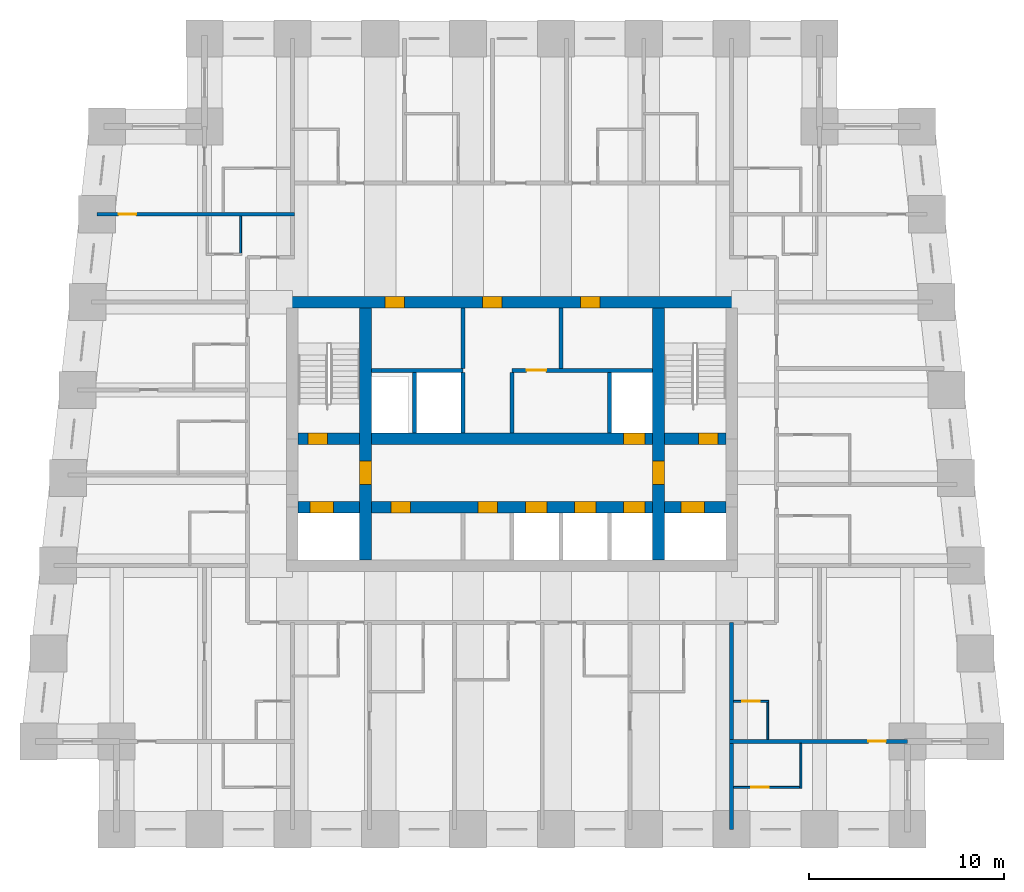
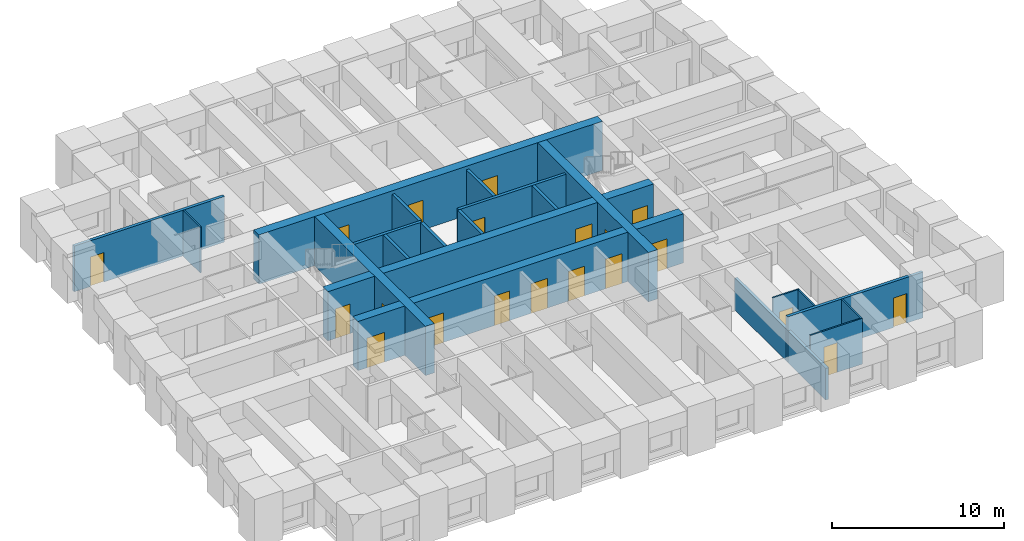
# One storey, part 4 of 8: 21 walls, 20 doors, 20 openings.
"""IFC4 building model written with IfcOpenShell, lengths in metres."""

from ifc_helpers import new_model, si_unit, direction, frame, frame_2d, origin, place, context, subcontext, project, spatial, rectangle, extrude, material, layer, layer_set, type_object, element, fill, save


model = new_model("IFC4")

# Units and contexts
model_context = context("Model", 3, precision=1e-05, world=origin(), true_north=direction((0.0, 1.0)))
body_context = subcontext(model_context, "Body", "Model", "MODEL_VIEW")
ifc_project = project(units=[si_unit("LENGTHUNIT", "METRE"), si_unit("AREAUNIT", "SQUARE_METRE"), si_unit("VOLUMEUNIT", "CUBIC_METRE"), si_unit("PLANEANGLEUNIT", "RADIAN"), si_unit("MASSUNIT", "GRAM", prefix="KILO")], contexts=[model_context])

# Site, building, storey
site_placement = place(None, origin())
site = spatial("IfcSite", under=ifc_project, at=site_placement, CompositionType="ELEMENT")
building_placement = place(site_placement, origin())
building = spatial("IfcBuilding", under=site, at=building_placement, Name="Kilele Tower Hotel", CompositionType="ELEMENT")
storey_placement = place(building_placement, frame((0.0, 0.0, 114.39990234375)))
storey = spatial("IfcBuildingStorey", under=building, at=storey_placement, Name="L29", CompositionType="ELEMENT", Elevation=114.39990234375)

# Wall
ifc_material_1 = material(Name="Moisture-resistant board")
ifc_layer_1 = layer(ifc_material_1, 0.10009765625)
ifc_layer_set_1 = layer_set([ifc_layer_1], Name="Moisture-resistant board")
wall_type_1 = type_object("IfcWallType", Name="Bathroom partition 100", PredefinedType="PLUMBINGWALL", material=ifc_layer_set_1)
wall_1_placement = place(storey_placement, frame((37.85009765625, 4.60009765625, 0.0), z_axis=(0.0, 0.0, 1.0), x_axis=(0.0, 1.0, 0.0)))
element("IfcWall", 1, at=wall_1_placement, inside=storey, type_object=wall_type_1, Name="Bathroom partition 100 L29", PredefinedType="PLUMBINGWALL", context=body_context, shape_type="SweptSolid", body=[
    extrude(rectangle(XDim=2.0, YDim=0.10009765625, at=frame_2d((1.0, 0.0))), origin(), (0.0, 0.0, 1.0), 3.25),
])

# Wall, opening, door
wall_2_placement = place(storey_placement, frame((36.10009765625, 6.550048828125, 0.0), z_axis=(0.0, 0.0, 1.0), x_axis=(1.0, 0.0, 0.0)))
wall_2 = element("IfcWall", 2, at=wall_2_placement, inside=storey, type_object=wall_type_1, Name="Bathroom partition 100 L29", PredefinedType="PLUMBINGWALL", context=body_context, shape_type="SweptSolid", body=[
    extrude(rectangle(XDim=1.7998046875, YDim=0.10009765625, at=frame_2d((0.89990234375, 0.0))), origin(), (0.0, 0.0, 1.0), 3.25),
])
opening_1_placement = place(wall_2_placement, frame((0.449951171875, 0.0, 0.0)))
opening_1 = element("IfcOpeningElement", 3, at=opening_1_placement, cuts=wall_2, Name="Opening D2A", PredefinedType="OPENING", context=body_context, shape_type="SweptSolid", body=[
    extrude(rectangle(XDim=0.89990234375, YDim=2.10009765625, at=frame_2d((0.449951171875, 1.050048828125))), frame((0.0, 0.06005859375, 0.0), z_axis=(0.0, -1.0, 0.0), x_axis=(1.0, 0.0, 0.0)), (0.0, 0.0, 1.0), 0.1201171875),
])
ifc_material_2 = material(Name="Timber door leaf in hardwood frame", Category="wood")
door_type_1 = type_object("IfcDoorType", Name="Bathroom door 900", OperationType="SINGLE_SWING_LEFT", PredefinedType="DOOR", material=ifc_material_2)
door_1_placement = place(opening_1_placement, origin())
door_1 = element("IfcDoor", 4, at=door_1_placement, inside=storey, type_object=door_type_1, Name="Bathroom door 2920P", OperationType="SINGLE_SWING_LEFT", OverallHeight=2.10009765625, OverallWidth=0.89990234375, PredefinedType="DOOR", context=body_context, shape_type="SweptSolid", body=[
    extrude(rectangle(XDim=0.89990234375, YDim=2.10009765625, at=frame_2d((0.449951171875, 1.050048828125))), frame((0.0, 0.02490234375, 0.0), z_axis=(0.0, -1.0, 0.0), x_axis=(1.0, 0.0, 0.0)), (0.0, 0.0, 1.0), 0.050048828125),
])
fill(opening_1, door_1)

# Wall
wall_3_placement = place(storey_placement, frame((39.550048828125, 4.39990234375, 0.0), z_axis=(0.0, 0.0, 1.0), x_axis=(0.0, -1.0, 0.0)))
element("IfcWall", 5, at=wall_3_placement, inside=storey, type_object=wall_type_1, Name="Bathroom partition 100 L29", PredefinedType="PLUMBINGWALL", context=body_context, shape_type="SweptSolid", body=[
    extrude(rectangle(XDim=2.2998046875, YDim=0.10009765625, at=frame_2d((1.14990234375, 0.0))), origin(), (0.0, 0.0, 1.0), 3.25),
])

# Wall, opening, door
wall_4_placement = place(storey_placement, frame((36.10009765625, 2.14990234375, 0.0), z_axis=(0.0, 0.0, 1.0), x_axis=(1.0, 0.0, 0.0)))
wall_4 = element("IfcWall", 6, at=wall_4_placement, inside=storey, type_object=wall_type_1, Name="Bathroom partition 100 L29", PredefinedType="PLUMBINGWALL", context=body_context, shape_type="SweptSolid", body=[
    extrude(rectangle(XDim=3.5, YDim=0.10009765625, at=frame_2d((1.75, 0.0))), origin(), (0.0, 0.0, 1.0), 3.25),
])
opening_2_placement = place(wall_4_placement, frame((1.7998046875, 0.0, 0.0), z_axis=(0.0, 0.0, 1.0), x_axis=(-1.0, 0.0, 0.0)))
opening_2 = element("IfcOpeningElement", 7, at=opening_2_placement, cuts=wall_4, Name="Opening D2A", PredefinedType="OPENING", context=body_context, shape_type="SweptSolid", body=[
    extrude(rectangle(XDim=0.89990234375, YDim=2.10009765625, at=frame_2d((0.449951171875, 1.050048828125))), frame((0.0, 0.06005859375, 0.0), z_axis=(0.0, -1.0, 0.0), x_axis=(1.0, 0.0, 0.0)), (0.0, 0.0, 1.0), 0.1201171875),
])
door_2_placement = place(opening_2_placement, origin())
door_2 = element("IfcDoor", 8, at=door_2_placement, inside=storey, type_object=door_type_1, Name="Bathroom door 2922B", OperationType="SINGLE_SWING_RIGHT", OverallHeight=2.10009765625, OverallWidth=0.89990234375, PredefinedType="DOOR", context=body_context, shape_type="SweptSolid", body=[
    extrude(rectangle(XDim=0.89990234375, YDim=2.10009765625, at=frame_2d((0.449951171875, 1.050048828125))), frame((0.0, 0.02490234375, 0.0), z_axis=(0.0, -1.0, 0.0), x_axis=(1.0, 0.0, 0.0)), (0.0, 0.0, 1.0), 0.050048828125),
])
fill(opening_2, door_2)

# Wall
wall_5_placement = place(storey_placement, frame((10.85009765625, 31.39990234375, 0.0), z_axis=(0.0, 0.0, 1.0), x_axis=(0.0, -1.0, 0.0)))
element("IfcWall", 9, at=wall_5_placement, inside=storey, type_object=wall_type_1, Name="Bathroom partition 100 L29", PredefinedType="PLUMBINGWALL", context=body_context, shape_type="SweptSolid", body=[
    extrude(rectangle(XDim=2.0, YDim=0.10009765625, at=frame_2d((1.0, 0.0))), origin(), (0.0, 0.0, 1.0), 3.25),
])

# Wall, openings, doors
ifc_material_3 = material(Name="Concrete C60/75", Category="concrete")
ifc_layer_2 = layer(ifc_material_3, 0.60009765625)
ifc_layer_set_2 = layer_set([ifc_layer_2], Name="Concrete C60/75")
wall_type_2 = type_object("IfcWallType", Name="Core wall 600 C60/75", PredefinedType="SHEAR", material=ifc_layer_set_2)
wall_6_placement = place(storey_placement, frame((36.300048828125, 27.0, 0.0), z_axis=(0.0, 0.0, 1.0), x_axis=(-1.0, 0.0, 0.0)))
wall_6 = element("IfcWall", 10, at=wall_6_placement, inside=storey, type_object=wall_type_2, Name="Core wall N L29", PredefinedType="SHEAR", context=body_context, shape_type="SweptSolid", body=[
    extrude(rectangle(XDim=23.10009765625, YDim=0.60009765625, at=frame_2d((11.550048828125, 0.0))), origin(), (0.0, 0.0, 1.0), 3.5),
])
opening_3_placement = place(wall_6_placement, frame((17.050048828125, 0.0, 0.0)))
opening_3 = element("IfcOpeningElement", 11, at=opening_3_placement, cuts=wall_6, Name="Opening D6", PredefinedType="OPENING", context=body_context, shape_type="SweptSolid", body=[
    extrude(rectangle(XDim=1.0, YDim=2.10009765625, at=frame_2d((0.5, 1.050048828125))), frame((0.0, 0.31005859375, 0.0), z_axis=(0.0, -1.0, 0.0), x_axis=(1.0, 0.0, 0.0)), (0.0, 0.0, 1.0), 0.6201171875),
])
opening_4_placement = place(wall_6_placement, frame((12.050048828125, 0.0, 0.0)))
opening_4 = element("IfcOpeningElement", 12, at=opening_4_placement, cuts=wall_6, Name="Opening D6", PredefinedType="OPENING", context=body_context, shape_type="SweptSolid", body=[
    extrude(rectangle(XDim=1.0, YDim=2.10009765625, at=frame_2d((0.5, 1.050048828125))), frame((0.0, 0.31005859375, 0.0), z_axis=(0.0, -1.0, 0.0), x_axis=(1.0, 0.0, 0.0)), (0.0, 0.0, 1.0), 0.6201171875),
])
opening_5_placement = place(wall_6_placement, frame((7.050048828125, 0.0, 0.0)))
opening_5 = element("IfcOpeningElement", 13, at=opening_5_placement, cuts=wall_6, Name="Opening D6", PredefinedType="OPENING", context=body_context, shape_type="SweptSolid", body=[
    extrude(rectangle(XDim=1.0, YDim=2.10009765625, at=frame_2d((0.5, 1.050048828125))), frame((0.0, 0.31005859375, 0.0), z_axis=(0.0, -1.0, 0.0), x_axis=(1.0, 0.0, 0.0)), (0.0, 0.0, 1.0), 0.6201171875),
])
ifc_material_4 = material(Name="Timber door leaf in hardwood frame", Category="wood")
door_type_2 = type_object("IfcDoorType", Name="Riser door 1000", OperationType="SINGLE_SWING_LEFT", PredefinedType="DOOR", material=ifc_material_4)
door_3_placement = place(opening_3_placement, origin())
door_3 = element("IfcDoor", 14, at=door_3_placement, inside=storey, type_object=door_type_2, Name="Service riser door L29", OperationType="SINGLE_SWING_RIGHT", OverallHeight=2.10009765625, OverallWidth=1.0, PredefinedType="DOOR", context=body_context, shape_type="SweptSolid", body=[
    extrude(rectangle(XDim=1.0, YDim=2.10009765625, at=frame_2d((0.5, 1.050048828125))), frame((0.0, 0.2998046875, 0.0), z_axis=(0.0, -1.0, 0.0), x_axis=(1.0, 0.0, 0.0)), (0.0, 0.0, 1.0), 0.599609375),
])
fill(opening_3, door_3)
door_4_placement = place(opening_4_placement, origin())
door_4 = element("IfcDoor", 15, at=door_4_placement, inside=storey, type_object=door_type_2, Name="Linen store door L29", OperationType="SINGLE_SWING_RIGHT", OverallHeight=2.10009765625, OverallWidth=1.0, PredefinedType="DOOR", context=body_context, shape_type="SweptSolid", body=[
    extrude(rectangle(XDim=1.0, YDim=2.10009765625, at=frame_2d((0.5, 1.050048828125))), frame((0.0, 0.2998046875, 0.0), z_axis=(0.0, -1.0, 0.0), x_axis=(1.0, 0.0, 0.0)), (0.0, 0.0, 1.0), 0.599609375),
])
fill(opening_4, door_4)
door_5_placement = place(opening_5_placement, origin())
door_5 = element("IfcDoor", 16, at=door_5_placement, inside=storey, type_object=door_type_2, Name="Electrical riser door L29", OperationType="SINGLE_SWING_RIGHT", OverallHeight=2.10009765625, OverallWidth=1.0, PredefinedType="DOOR", context=body_context, shape_type="SweptSolid", body=[
    extrude(rectangle(XDim=1.0, YDim=2.10009765625, at=frame_2d((0.5, 1.050048828125))), frame((0.0, 0.2998046875, 0.0), z_axis=(0.0, -1.0, 0.0), x_axis=(1.0, 0.0, 0.0)), (0.0, 0.0, 1.0), 0.599609375),
])
fill(opening_5, door_5)

# Wall, opening, door
wall_7_placement = place(storey_placement, frame((17.25, 13.800048828125, 0.0), z_axis=(0.0, 0.0, 1.0), x_axis=(0.0, 1.0, 0.0)))
wall_7 = element("IfcWall", 17, at=wall_7_placement, inside=storey, type_object=wall_type_2, Name="Core wall IW L29", PredefinedType="SHEAR", context=body_context, shape_type="SweptSolid", body=[
    extrude(rectangle(XDim=12.89990234375, YDim=0.60009765625, at=frame_2d((6.449951171875, 0.0))), origin(), (0.0, 0.0, 1.0), 3.5),
])
opening_6_placement = place(wall_7_placement, frame((3.85009765625, 0.0, 0.0)))
opening_6 = element("IfcOpeningElement", 18, at=opening_6_placement, cuts=wall_7, Name="Opening D4", PredefinedType="OPENING", context=body_context, shape_type="SweptSolid", body=[
    extrude(rectangle(XDim=1.199951171875, YDim=2.10009765625, at=frame_2d((0.60009765625, 1.050048828125))), frame((0.0, 0.31005859375, 0.0), z_axis=(0.0, -1.0, 0.0), x_axis=(1.0, 0.0, 0.0)), (0.0, 0.0, 1.0), 0.6201171875),
])
ifc_material_5 = material(Name="Timber door leaf in hardwood frame", Category="wood")
door_type_3 = type_object("IfcDoorType", Name="Firefighting lobby door 1200", OperationType="SINGLE_SWING_LEFT", PredefinedType="DOOR", material=ifc_material_5)
door_6_placement = place(opening_6_placement, origin())
door_6 = element("IfcDoor", 19, at=door_6_placement, inside=storey, type_object=door_type_3, Name="Lobby door L29", OperationType="SINGLE_SWING_LEFT", OverallHeight=2.10009765625, OverallWidth=1.199951171875, PredefinedType="DOOR", context=body_context, shape_type="SweptSolid", body=[
    extrude(rectangle(XDim=1.199951171875, YDim=2.10009765625, at=frame_2d((0.60009765625, 1.050048828125))), frame((0.0, 0.2998046875, 0.0), z_axis=(0.0, -1.0, 0.0), x_axis=(1.0, 0.0, 0.0)), (0.0, 0.0, 1.0), 0.599609375),
])
fill(opening_6, door_6)

wall_8_placement = place(storey_placement, frame((32.25, 13.800048828125, 0.0), z_axis=(0.0, 0.0, 1.0), x_axis=(0.0, 1.0, 0.0)))
wall_8 = element("IfcWall", 20, at=wall_8_placement, inside=storey, type_object=wall_type_2, Name="Core wall IE L29", PredefinedType="SHEAR", context=body_context, shape_type="SweptSolid", body=[
    extrude(rectangle(XDim=12.89990234375, YDim=0.60009765625, at=frame_2d((6.449951171875, 0.0))), origin(), (0.0, 0.0, 1.0), 3.5),
])
opening_7_placement = place(wall_8_placement, frame((5.050048828125, 0.0, 0.0), z_axis=(0.0, 0.0, 1.0), x_axis=(-1.0, 0.0, 0.0)))
opening_7 = element("IfcOpeningElement", 21, at=opening_7_placement, cuts=wall_8, Name="Opening D4", PredefinedType="OPENING", context=body_context, shape_type="SweptSolid", body=[
    extrude(rectangle(XDim=1.199951171875, YDim=2.10009765625, at=frame_2d((0.60009765625, 1.050048828125))), frame((0.0, 0.31005859375, 0.0), z_axis=(0.0, -1.0, 0.0), x_axis=(1.0, 0.0, 0.0)), (0.0, 0.0, 1.0), 0.6201171875),
])
door_7_placement = place(opening_7_placement, origin())
door_7 = element("IfcDoor", 22, at=door_7_placement, inside=storey, type_object=door_type_3, Name="Lobby door L29", OperationType="SINGLE_SWING_RIGHT", OverallHeight=2.10009765625, OverallWidth=1.199951171875, PredefinedType="DOOR", context=body_context, shape_type="SweptSolid", body=[
    extrude(rectangle(XDim=1.199951171875, YDim=2.10009765625, at=frame_2d((0.60009765625, 1.050048828125))), frame((0.0, 0.2998046875, 0.0), z_axis=(0.0, -1.0, 0.0), x_axis=(1.0, 0.0, 0.0)), (0.0, 0.0, 1.0), 0.599609375),
])
fill(opening_7, door_7)

# Wall, openings, doors
wall_9_placement = place(storey_placement, frame((13.800048828125, 16.5, 0.0), z_axis=(0.0, 0.0, 1.0), x_axis=(1.0, 0.0, 0.0)))
wall_9 = element("IfcWall", 23, at=wall_9_placement, inside=storey, type_object=wall_type_2, Name="Core wall LS L29", PredefinedType="SHEAR", context=body_context, shape_type="SweptSolid", body=[
    extrude(rectangle(XDim=21.89990234375, YDim=0.60009765625, at=frame_2d((10.949951171875, 0.0))), origin(), (0.0, 0.0, 1.0), 3.5),
])
opening_8_placement = place(wall_9_placement, frame((11.64990234375, 0.0, 0.0)))
opening_8 = element("IfcOpeningElement", 24, at=opening_8_placement, cuts=wall_9, Name="Opening LD1", PredefinedType="OPENING", context=body_context, shape_type="SweptSolid", body=[
    extrude(rectangle(XDim=1.10009765625, YDim=2.10009765625, at=frame_2d((0.550048828125, 1.050048828125))), frame((0.0, 0.31005859375, 0.0), z_axis=(0.0, -1.0, 0.0), x_axis=(1.0, 0.0, 0.0)), (0.0, 0.0, 1.0), 0.6201171875),
])
opening_9_placement = place(wall_9_placement, frame((14.14990234375, 0.0, 0.0)))
opening_9 = element("IfcOpeningElement", 25, at=opening_9_placement, cuts=wall_9, Name="Opening LD1", PredefinedType="OPENING", context=body_context, shape_type="SweptSolid", body=[
    extrude(rectangle(XDim=1.10009765625, YDim=2.10009765625, at=frame_2d((0.550048828125, 1.050048828125))), frame((0.0, 0.31005859375, 0.0), z_axis=(0.0, -1.0, 0.0), x_axis=(1.0, 0.0, 0.0)), (0.0, 0.0, 1.0), 0.6201171875),
])
opening_10_placement = place(wall_9_placement, frame((16.64990234375, 0.0, 0.0)))
opening_10 = element("IfcOpeningElement", 26, at=opening_10_placement, cuts=wall_9, Name="Opening LD1", PredefinedType="OPENING", context=body_context, shape_type="SweptSolid", body=[
    extrude(rectangle(XDim=1.10009765625, YDim=2.10009765625, at=frame_2d((0.550048828125, 1.050048828125))), frame((0.0, 0.31005859375, 0.0), z_axis=(0.0, -1.0, 0.0), x_axis=(1.0, 0.0, 0.0)), (0.0, 0.0, 1.0), 0.6201171875),
])
opening_11_placement = place(wall_9_placement, frame((5.75, 0.0, 0.0), z_axis=(0.0, 0.0, 1.0), x_axis=(-1.0, 0.0, 0.0)))
opening_11 = element("IfcOpeningElement", 27, at=opening_11_placement, cuts=wall_9, Name="Opening D11", PredefinedType="OPENING", context=body_context, shape_type="SweptSolid", body=[
    extrude(rectangle(XDim=1.0, YDim=2.10009765625, at=frame_2d((0.5, 1.050048828125))), frame((0.0, 0.31005859375, 0.0), z_axis=(0.0, -1.0, 0.0), x_axis=(1.0, 0.0, 0.0)), (0.0, 0.0, 1.0), 0.6201171875),
])
opening_12_placement = place(wall_9_placement, frame((10.199951171875, 0.0, 0.0), z_axis=(0.0, 0.0, 1.0), x_axis=(-1.0, 0.0, 0.0)))
opening_12 = element("IfcOpeningElement", 28, at=opening_12_placement, cuts=wall_9, Name="Opening D11", PredefinedType="OPENING", context=body_context, shape_type="SweptSolid", body=[
    extrude(rectangle(XDim=1.0, YDim=2.10009765625, at=frame_2d((0.5, 1.050048828125))), frame((0.0, 0.31005859375, 0.0), z_axis=(0.0, -1.0, 0.0), x_axis=(1.0, 0.0, 0.0)), (0.0, 0.0, 1.0), 0.6201171875),
])
opening_13_placement = place(wall_9_placement, frame((0.60009765625, 0.0, 0.0)))
opening_13 = element("IfcOpeningElement", 29, at=opening_13_placement, cuts=wall_9, Name="Opening LD2", PredefinedType="OPENING", context=body_context, shape_type="SweptSolid", body=[
    extrude(rectangle(XDim=1.199951171875, YDim=2.10009765625, at=frame_2d((0.60009765625, 1.050048828125))), frame((0.0, 0.31005859375, 0.0), z_axis=(0.0, -1.0, 0.0), x_axis=(1.0, 0.0, 0.0)), (0.0, 0.0, 1.0), 0.6201171875),
])
opening_14_placement = place(wall_9_placement, frame((19.60009765625, 0.0, 0.0)))
opening_14 = element("IfcOpeningElement", 30, at=opening_14_placement, cuts=wall_9, Name="Opening LD2", PredefinedType="OPENING", context=body_context, shape_type="SweptSolid", body=[
    extrude(rectangle(XDim=1.199951171875, YDim=2.10009765625, at=frame_2d((0.60009765625, 1.050048828125))), frame((0.0, 0.31005859375, 0.0), z_axis=(0.0, -1.0, 0.0), x_axis=(1.0, 0.0, 0.0)), (0.0, 0.0, 1.0), 0.6201171875),
])
ifc_material_6 = material(Name="Timber door leaf in hardwood frame", Category="wood")
door_type_4 = type_object("IfcDoorType", Name="Core store door 1000", OperationType="SINGLE_SWING_LEFT", PredefinedType="DOOR", material=ifc_material_6)
door_8_placement = place(opening_11_placement, origin())
door_8 = element("IfcDoor", 31, at=door_8_placement, inside=storey, type_object=door_type_4, Name="Core room door L1 L29", OperationType="SINGLE_SWING_RIGHT", OverallHeight=2.10009765625, OverallWidth=1.0, PredefinedType="DOOR", context=body_context, shape_type="SweptSolid", body=[
    extrude(rectangle(XDim=1.0, YDim=2.10009765625, at=frame_2d((0.5, 1.050048828125))), frame((0.0, 0.2998046875, 0.0), z_axis=(0.0, -1.0, 0.0), x_axis=(1.0, 0.0, 0.0)), (0.0, 0.0, 1.0), 0.599609375),
])
fill(opening_11, door_8)
door_9_placement = place(opening_12_placement, origin())
door_9 = element("IfcDoor", 32, at=door_9_placement, inside=storey, type_object=door_type_4, Name="Core room door L3 L29", OperationType="SINGLE_SWING_RIGHT", OverallHeight=2.10009765625, OverallWidth=1.0, PredefinedType="DOOR", context=body_context, shape_type="SweptSolid", body=[
    extrude(rectangle(XDim=1.0, YDim=2.10009765625, at=frame_2d((0.5, 1.050048828125))), frame((0.0, 0.2998046875, 0.0), z_axis=(0.0, -1.0, 0.0), x_axis=(1.0, 0.0, 0.0)), (0.0, 0.0, 1.0), 0.599609375),
])
fill(opening_12, door_9)
ifc_material_7 = material(Name="Steel lift landing door", Category="steel")
door_type_5 = type_object("IfcDoorType", Name="Firefighting lift landing door 1200", OperationType="SLIDING_TO_LEFT", PredefinedType="DOOR", material=ifc_material_7)
door_10_placement = place(opening_13_placement, origin())
door_10 = element("IfcDoor", 33, at=door_10_placement, inside=storey, type_object=door_type_5, Name="Landing door FFW L29", OperationType="SLIDING_TO_LEFT", OverallHeight=2.10009765625, OverallWidth=1.199951171875, PredefinedType="DOOR", context=body_context, shape_type="SweptSolid", body=[
    extrude(rectangle(XDim=1.199951171875, YDim=2.10009765625, at=frame_2d((0.60009765625, 1.050048828125))), frame((0.0, 0.2998046875, 0.0), z_axis=(0.0, -1.0, 0.0), x_axis=(1.0, 0.0, 0.0)), (0.0, 0.0, 1.0), 0.599609375),
])
fill(opening_13, door_10)
door_11_placement = place(opening_14_placement, origin())
door_11 = element("IfcDoor", 34, at=door_11_placement, inside=storey, type_object=door_type_5, Name="Landing door FFE L29", OperationType="SLIDING_TO_LEFT", OverallHeight=2.10009765625, OverallWidth=1.199951171875, PredefinedType="DOOR", context=body_context, shape_type="SweptSolid", body=[
    extrude(rectangle(XDim=1.199951171875, YDim=2.10009765625, at=frame_2d((0.60009765625, 1.050048828125))), frame((0.0, 0.2998046875, 0.0), z_axis=(0.0, -1.0, 0.0), x_axis=(1.0, 0.0, 0.0)), (0.0, 0.0, 1.0), 0.599609375),
])
fill(opening_14, door_11)
ifc_material_8 = material(Name="Steel lift landing door", Category="steel")
door_type_6 = type_object("IfcDoorType", Name="Lift landing door 1100", OperationType="SLIDING_TO_LEFT", PredefinedType="DOOR", material=ifc_material_8)
door_12_placement = place(opening_8_placement, origin())
door_12 = element("IfcDoor", 35, at=door_12_placement, inside=storey, type_object=door_type_6, Name="Landing door M1 L29", OperationType="SLIDING_TO_LEFT", OverallHeight=2.10009765625, OverallWidth=1.10009765625, PredefinedType="DOOR", context=body_context, shape_type="SweptSolid", body=[
    extrude(rectangle(XDim=1.10009765625, YDim=2.10009765625, at=frame_2d((0.550048828125, 1.050048828125))), frame((0.0, 0.2998046875, 0.0), z_axis=(0.0, -1.0, 0.0), x_axis=(1.0, 0.0, 0.0)), (0.0, 0.0, 1.0), 0.599609375),
])
fill(opening_8, door_12)
door_13_placement = place(opening_9_placement, origin())
door_13 = element("IfcDoor", 36, at=door_13_placement, inside=storey, type_object=door_type_6, Name="Landing door M2 L29", OperationType="SLIDING_TO_LEFT", OverallHeight=2.10009765625, OverallWidth=1.10009765625, PredefinedType="DOOR", context=body_context, shape_type="SweptSolid", body=[
    extrude(rectangle(XDim=1.10009765625, YDim=2.10009765625, at=frame_2d((0.550048828125, 1.050048828125))), frame((0.0, 0.2998046875, 0.0), z_axis=(0.0, -1.0, 0.0), x_axis=(1.0, 0.0, 0.0)), (0.0, 0.0, 1.0), 0.599609375),
])
fill(opening_9, door_13)
door_14_placement = place(opening_10_placement, origin())
door_14 = element("IfcDoor", 37, at=door_14_placement, inside=storey, type_object=door_type_6, Name="Landing door M3 L29", OperationType="SLIDING_TO_LEFT", OverallHeight=2.10009765625, OverallWidth=1.10009765625, PredefinedType="DOOR", context=body_context, shape_type="SweptSolid", body=[
    extrude(rectangle(XDim=1.10009765625, YDim=2.10009765625, at=frame_2d((0.550048828125, 1.050048828125))), frame((0.0, 0.2998046875, 0.0), z_axis=(0.0, -1.0, 0.0), x_axis=(1.0, 0.0, 0.0)), (0.0, 0.0, 1.0), 0.599609375),
])
fill(opening_10, door_14)

wall_10_placement = place(storey_placement, frame((13.800048828125, 20.0, 0.0), z_axis=(0.0, 0.0, 1.0), x_axis=(1.0, 0.0, 0.0)))
wall_10 = element("IfcWall", 38, at=wall_10_placement, inside=storey, type_object=wall_type_2, Name="Core wall LN L29", PredefinedType="SHEAR", context=body_context, shape_type="SweptSolid", body=[
    extrude(rectangle(XDim=21.89990234375, YDim=0.60009765625, at=frame_2d((10.949951171875, 0.0))), origin(), (0.0, 0.0, 1.0), 3.5),
])
opening_15_placement = place(wall_10_placement, frame((0.5, 0.0, 0.0)))
opening_15 = element("IfcOpeningElement", 39, at=opening_15_placement, cuts=wall_10, Name="Opening D5", PredefinedType="OPENING", context=body_context, shape_type="SweptSolid", body=[
    extrude(rectangle(XDim=1.0, YDim=2.10009765625, at=frame_2d((0.5, 1.050048828125))), frame((0.0, 0.31005859375, 0.0), z_axis=(0.0, -1.0, 0.0), x_axis=(1.0, 0.0, 0.0)), (0.0, 0.0, 1.0), 0.6201171875),
])
opening_16_placement = place(wall_10_placement, frame((20.5, 0.0, 0.0)))
opening_16 = element("IfcOpeningElement", 40, at=opening_16_placement, cuts=wall_10, Name="Opening D5", PredefinedType="OPENING", context=body_context, shape_type="SweptSolid", body=[
    extrude(rectangle(XDim=1.0, YDim=2.10009765625, at=frame_2d((0.5, 1.050048828125))), frame((0.0, 0.31005859375, 0.0), z_axis=(0.0, -1.0, 0.0), x_axis=(1.0, 0.0, 0.0)), (0.0, 0.0, 1.0), 0.6201171875),
])
opening_17_placement = place(wall_10_placement, frame((16.64990234375, 0.0, 0.0)))
opening_17 = element("IfcOpeningElement", 41, at=opening_17_placement, cuts=wall_10, Name="Opening LD1", PredefinedType="OPENING", context=body_context, shape_type="SweptSolid", body=[
    extrude(rectangle(XDim=1.10009765625, YDim=2.10009765625, at=frame_2d((0.550048828125, 1.050048828125))), frame((0.0, 0.31005859375, 0.0), z_axis=(0.0, -1.0, 0.0), x_axis=(1.0, 0.0, 0.0)), (0.0, 0.0, 1.0), 0.6201171875),
])
door_15_placement = place(opening_17_placement, origin())
door_15 = element("IfcDoor", 42, at=door_15_placement, inside=storey, type_object=door_type_6, Name="Landing door G1 L29", OperationType="SLIDING_TO_LEFT", OverallHeight=2.10009765625, OverallWidth=1.10009765625, PredefinedType="DOOR", context=body_context, shape_type="SweptSolid", body=[
    extrude(rectangle(XDim=1.10009765625, YDim=2.10009765625, at=frame_2d((0.550048828125, 1.050048828125))), frame((0.0, 0.2998046875, 0.0), z_axis=(0.0, -1.0, 0.0), x_axis=(1.0, 0.0, 0.0)), (0.0, 0.0, 1.0), 0.599609375),
])
fill(opening_17, door_15)
ifc_material_9 = material(Name="Timber door leaf in hardwood frame", Category="wood")
door_type_7 = type_object("IfcDoorType", Name="Stair door 1000", OperationType="SINGLE_SWING_LEFT", PredefinedType="DOOR", material=ifc_material_9)
door_16_placement = place(opening_15_placement, origin())
door_16 = element("IfcDoor", 43, at=door_16_placement, inside=storey, type_object=door_type_7, Name="Stair 1 door L29", OperationType="SINGLE_SWING_LEFT", OverallHeight=2.10009765625, OverallWidth=1.0, PredefinedType="DOOR", context=body_context, shape_type="SweptSolid", body=[
    extrude(rectangle(XDim=1.0, YDim=2.10009765625, at=frame_2d((0.5, 1.050048828125))), frame((0.0, 0.2998046875, 0.0), z_axis=(0.0, -1.0, 0.0), x_axis=(1.0, 0.0, 0.0)), (0.0, 0.0, 1.0), 0.599609375),
])
fill(opening_15, door_16)
door_17_placement = place(opening_16_placement, origin())
door_17 = element("IfcDoor", 44, at=door_17_placement, inside=storey, type_object=door_type_7, Name="Stair 2 door L29", OperationType="SINGLE_SWING_RIGHT", OverallHeight=2.10009765625, OverallWidth=1.0, PredefinedType="DOOR", context=body_context, shape_type="SweptSolid", body=[
    extrude(rectangle(XDim=1.0, YDim=2.10009765625, at=frame_2d((0.5, 1.050048828125))), frame((0.0, 0.2998046875, 0.0), z_axis=(0.0, -1.0, 0.0), x_axis=(1.0, 0.0, 0.0)), (0.0, 0.0, 1.0), 0.599609375),
])
fill(opening_16, door_17)

# Wall
ifc_material_10 = material(Name="Blockwork, plastered both sides", Category="masonry")
ifc_layer_3 = layer(ifc_material_10, 0.199951171875)
ifc_layer_set_3 = layer_set([ifc_layer_3], Name="Blockwork, plastered both sides")
wall_type_3 = type_object("IfcWallType", Name="Party wall 200", PredefinedType="PARTITIONING", material=ifc_layer_set_3)
wall_11_placement = place(storey_placement, frame((36.0, 10.60009765625, 0.0), z_axis=(0.0, 0.0, 1.0), x_axis=(0.0, -1.0, 0.0)))
element("IfcWall", 45, at=wall_11_placement, inside=storey, type_object=wall_type_3, Name="Party wall 200 L29", PredefinedType="PARTITIONING", context=body_context, shape_type="SweptSolid", body=[
    extrude(rectangle(XDim=10.60009765625, YDim=0.199951171875, at=frame_2d((5.300048828125, 0.0))), origin(), (0.0, 0.0, 1.0), 2.25),
])

# Wall, opening, door
wall_12_placement = place(storey_placement, frame((35.89990234375, 4.5, 0.0), z_axis=(0.0, 0.0, 1.0), x_axis=(1.0, 0.0, 0.0)))
wall_12 = element("IfcWall", 46, at=wall_12_placement, inside=storey, type_object=wall_type_3, Name="Party wall 200 L29", PredefinedType="PARTITIONING", context=body_context, shape_type="SweptSolid", body=[
    extrude(rectangle(XDim=9.10009765625, YDim=0.199951171875, at=frame_2d((4.550048828125, 0.0))), origin(), (0.0, 0.0, 1.0), 3.25),
])
opening_18_placement = place(wall_12_placement, frame((7.10009765625, 0.0, 0.0)))
opening_18 = element("IfcOpeningElement", 47, at=opening_18_placement, cuts=wall_12, Name="Opening D3", PredefinedType="OPENING", context=body_context, shape_type="SweptSolid", body=[
    extrude(rectangle(XDim=0.89990234375, YDim=2.10009765625, at=frame_2d((0.449951171875, 1.050048828125))), frame((0.0, 0.10986328125, 0.0), z_axis=(0.0, -1.0, 0.0), x_axis=(1.0, 0.0, 0.0)), (0.0, 0.0, 1.0), 0.219970703125),
])
ifc_material_11 = material(Name="Timber door leaf in hardwood frame", Category="wood")
door_type_8 = type_object("IfcDoorType", Name="Suite internal door 900", OperationType="SINGLE_SWING_LEFT", PredefinedType="DOOR", material=ifc_material_11)
door_18_placement = place(opening_18_placement, origin())
door_18 = element("IfcDoor", 48, at=door_18_placement, inside=storey, type_object=door_type_8, Name="Suite door 2922", OperationType="SINGLE_SWING_RIGHT", OverallHeight=2.10009765625, OverallWidth=0.89990234375, PredefinedType="DOOR", context=body_context, shape_type="SweptSolid", body=[
    extrude(rectangle(XDim=0.89990234375, YDim=2.10009765625, at=frame_2d((0.449951171875, 1.050048828125))), frame((0.0, 0.02490234375, 0.0), z_axis=(0.0, -1.0, 0.0), x_axis=(1.0, 0.0, 0.0)), (0.0, 0.0, 1.0), 0.050048828125),
])
fill(opening_18, door_18)

wall_13_placement = place(storey_placement, frame((13.60009765625, 31.5, 0.0), z_axis=(0.0, 0.0, 1.0), x_axis=(-1.0, 0.0, 0.0)))
wall_13 = element("IfcWall", 49, at=wall_13_placement, inside=storey, type_object=wall_type_3, Name="Party wall 200 L29", PredefinedType="PARTITIONING", context=body_context, shape_type="SweptSolid", body=[
    extrude(rectangle(XDim=10.09912109375, YDim=0.199951171875, at=frame_2d((5.049560546875, 0.0))), origin(), (0.0, 0.0, 1.0), 3.25),
])
opening_19_placement = place(wall_13_placement, frame((8.9990234375, 0.0, 0.0), z_axis=(0.0, 0.0, 1.0), x_axis=(-1.0, 0.0, 0.0)))
opening_19 = element("IfcOpeningElement", 50, at=opening_19_placement, cuts=wall_13, Name="Opening D3", PredefinedType="OPENING", context=body_context, shape_type="SweptSolid", body=[
    extrude(rectangle(XDim=0.89990234375, YDim=2.10009765625, at=frame_2d((0.449951171875, 1.050048828125))), frame((0.0, 0.10986328125, 0.0), z_axis=(0.0, -1.0, 0.0), x_axis=(1.0, 0.0, 0.0)), (0.0, 0.0, 1.0), 0.219970703125),
])
door_19_placement = place(opening_19_placement, origin())
door_19 = element("IfcDoor", 51, at=door_19_placement, inside=storey, type_object=door_type_8, Name="Suite door 2927", OperationType="SINGLE_SWING_LEFT", OverallHeight=2.10009765625, OverallWidth=0.89990234375, PredefinedType="DOOR", context=body_context, shape_type="SweptSolid", body=[
    extrude(rectangle(XDim=0.89990234375, YDim=2.10009765625, at=frame_2d((0.449951171875, 1.050048828125))), frame((0.0, 0.02490234375, 0.0), z_axis=(0.0, -1.0, 0.0), x_axis=(1.0, 0.0, 0.0)), (0.0, 0.0, 1.0), 0.050048828125),
])
fill(opening_19, door_19)

# Walls
ifc_material_12 = material(Name="Blockwork, fire-rated", Category="masonry")
ifc_layer_4 = layer(ifc_material_12, 0.199951171875)
ifc_layer_set_4 = layer_set([ifc_layer_4], Name="Blockwork, fire-rated")
wall_type_4 = type_object("IfcWallType", Name="Shaft wall 200", PredefinedType="PARTITIONING", material=ifc_layer_set_4)
for number, where, z_axis, x_axis, name in (
    (52, (19.75, 20.300048828125, 0.0), (0.0, 0.0, 1.0), (0.0, 1.0, 0.0), "Shaft wall 200 L29"),
    (53, (22.25, 20.300048828125, 0.0), (0.0, 0.0, 1.0), (0.0, 1.0, 0.0), "Shaft wall 200 L29"),
    (54, (24.75, 20.300048828125, 0.0), (0.0, 0.0, 1.0), (0.0, 1.0, 0.0), "Shaft wall 200 L29"),
    (55, (29.75, 20.300048828125, 0.0), (0.0, 0.0, 1.0), (0.0, 1.0, 0.0), "Shaft wall 200 L29"),
):
    element("IfcWall", number, at=place(storey_placement, frame(where, z_axis=z_axis, x_axis=x_axis)), inside=storey, type_object=wall_type_4, Name=name, PredefinedType="PARTITIONING", context=body_context, shape_type="SweptSolid", body=[
        extrude(rectangle(XDim=3.099853515625, YDim=0.199951171875, at=frame_2d((1.5498046875, 0.0))), origin(), (0.0, 0.0, 1.0), 3.25),
    ])
wall_14_placement = place(storey_placement, frame((17.550048828125, 23.5, 0.0), z_axis=(0.0, 0.0, 1.0), x_axis=(1.0, 0.0, 0.0)))
element("IfcWall", 56, at=wall_14_placement, inside=storey, type_object=wall_type_4, Name="Shaft wall 200 L29", PredefinedType="PARTITIONING", context=body_context, shape_type="SweptSolid", body=[
    extrude(rectangle(XDim=4.699951171875, YDim=0.199951171875, at=frame_2d((2.35009765625, 0.0))), origin(), (0.0, 0.0, 1.0), 3.25),
])

# Wall, opening, door
wall_15_placement = place(storey_placement, frame((24.75, 23.5, 0.0), z_axis=(0.0, 0.0, 1.0), x_axis=(1.0, 0.0, 0.0)))
wall_15 = element("IfcWall", 57, at=wall_15_placement, inside=storey, type_object=wall_type_4, Name="Shaft wall 200 L29", PredefinedType="PARTITIONING", context=body_context, shape_type="SweptSolid", body=[
    extrude(rectangle(XDim=7.199951171875, YDim=0.199951171875, at=frame_2d((3.60009765625, 0.0))), origin(), (0.0, 0.0, 1.0), 3.25),
])
opening_20_placement = place(wall_15_placement, frame((0.75, 0.0, 0.0)))
opening_20 = element("IfcOpeningElement", 58, at=opening_20_placement, cuts=wall_15, Name="Opening D11", PredefinedType="OPENING", context=body_context, shape_type="SweptSolid", body=[
    extrude(rectangle(XDim=1.0, YDim=2.10009765625, at=frame_2d((0.5, 1.050048828125))), frame((0.0, 0.10986328125, 0.0), z_axis=(0.0, -1.0, 0.0), x_axis=(1.0, 0.0, 0.0)), (0.0, 0.0, 1.0), 0.219970703125),
])
door_20_placement = place(opening_20_placement, origin())
door_20 = element("IfcDoor", 59, at=door_20_placement, inside=storey, type_object=door_type_4, Name="Core room door H2", OperationType="SINGLE_SWING_RIGHT", OverallHeight=2.10009765625, OverallWidth=1.0, PredefinedType="DOOR", context=body_context, shape_type="SweptSolid", body=[
    extrude(rectangle(XDim=1.0, YDim=2.10009765625, at=frame_2d((0.5, 1.050048828125))), frame((0.0, 0.02490234375, 0.0), z_axis=(0.0, -1.0, 0.0), x_axis=(1.0, 0.0, 0.0)), (0.0, 0.0, 1.0), 0.050048828125),
])
fill(opening_20, door_20)

# Walls
for number, where, z_axis, x_axis, name in (
    (60, (22.25, 23.60009765625, 0.0), (0.0, 0.0, 1.0), (0.0, 1.0, 0.0), "Shaft wall 200 L29"),
    (61, (27.25, 23.60009765625, 0.0), (0.0, 0.0, 1.0), (0.0, 1.0, 0.0), "Shaft wall 200 L29"),
):
    element("IfcWall", number, at=place(storey_placement, frame(where, z_axis=z_axis, x_axis=x_axis)), inside=storey, type_object=wall_type_4, Name=name, PredefinedType="PARTITIONING", context=body_context, shape_type="SweptSolid", body=[
        extrude(rectangle(XDim=3.099853515625, YDim=0.199951171875, at=frame_2d((1.5498046875, 0.0))), origin(), (0.0, 0.0, 1.0), 3.25),
    ])

save(model, "model.ifc")
